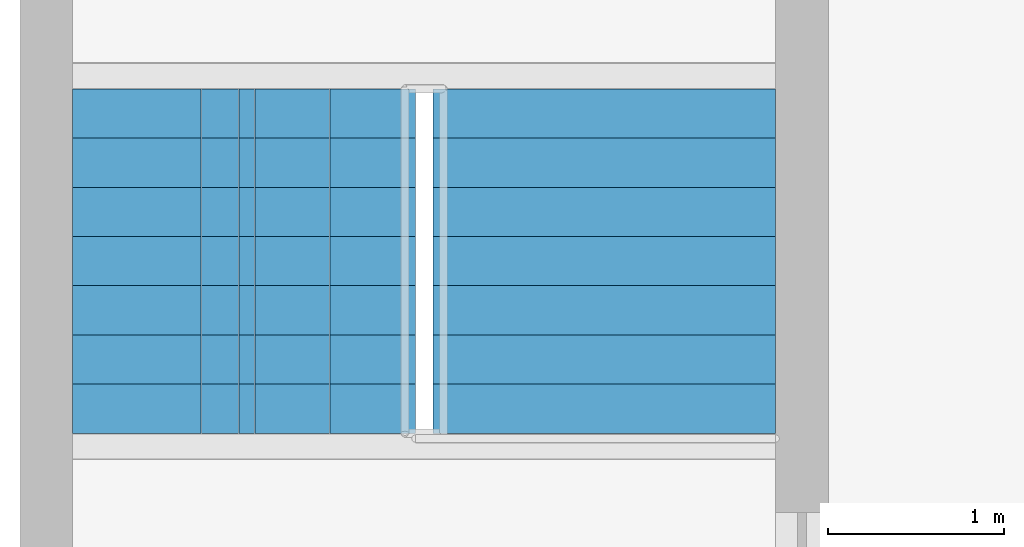
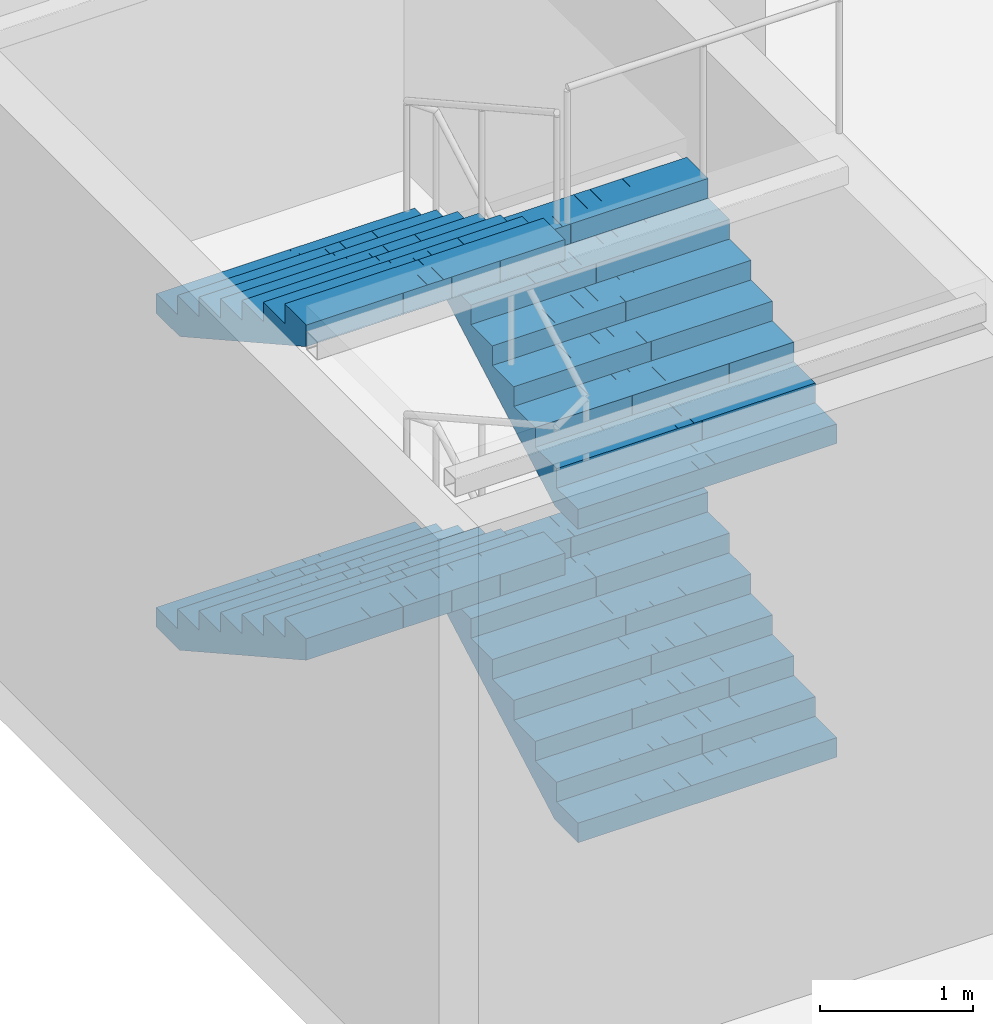
# One storey, part 10 of 20: 4 stair flights, 1 element without a shape of its own.
"""IFC4 building model written with IfcOpenShell, lengths in metres."""

from ifc_helpers import new_model, si_unit, direction, frame, origin, place, context, subcontext, project, spatial, polyline, outline, extrude, material, type_object, element, aggregate, save


model = new_model("IFC4")

# Units and contexts
model_context = context("Model", 3, precision=1e-05, world=origin(), true_north=direction((0.0, 1.0)))
body_context = subcontext(model_context, "Body", "Model", "MODEL_VIEW")
ifc_project = project(units=[si_unit("LENGTHUNIT", "METRE"), si_unit("AREAUNIT", "SQUARE_METRE"), si_unit("VOLUMEUNIT", "CUBIC_METRE"), si_unit("PLANEANGLEUNIT", "RADIAN"), si_unit("MASSUNIT", "GRAM", prefix="KILO")], contexts=[model_context])

# Site, building, storey
site_placement = place(None, origin())
site = spatial("IfcSite", under=ifc_project, at=site_placement, CompositionType="ELEMENT")
building_placement = place(site_placement, origin())
building = spatial("IfcBuilding", under=site, at=building_placement, Name="Mizan Broadcast Tower", CompositionType="ELEMENT")
storey_placement = place(building_placement, frame((0.0, 0.0, -5.0)))
storey = spatial("IfcBuildingStorey", under=building, at=storey_placement, Name="B1", CompositionType="ELEMENT", Elevation=-5.0)

# Stair, stair flights
ifc_material_1 = material(Name="Concrete C40/50", Category="concrete")
stair_type = type_object("IfcStairType", Name="EXIT STAIR", PredefinedType="HALF_TURN_STAIR", material=ifc_material_1)
stair_placement = place(storey_placement, origin())
stair = element("IfcStair", 1, at=stair_placement, inside=storey, type_object=stair_type, Name="Stair G B1", PredefinedType="HALF_TURN_STAIR")
ifc_material_2 = material(Name="Concrete C40/50", Category="concrete")
stair_flight_type = type_object("IfcStairFlightType", Name="EXIT STAIR FLIGHT", PredefinedType="STRAIGHT", material=ifc_material_2)
stair_flight_1_placement = place(storey_placement, frame((-44.875, -39.949951171875, 0.0), z_axis=(0.0, 0.0, 1.0), x_axis=(0.0, 1.0, 0.0)))
stair_flight_1 = element("IfcStairFlight", 2, at=stair_flight_1_placement, type_object=stair_flight_type, Name="G flight 1", NumberOfRisers=8, NumberOfTreads=7, PredefinedType="STRAIGHT", RiserHeight=0.15625, TreadLength=0.28, context=body_context, shape_type="SweptSolid", body=[
    extrude(outline(polyline([(0.0, 0.0), (0.0, 0.15625), (0.280029296875, 0.15625), (0.280029296875, 0.3125), (0.56005859375, 0.3125), (0.56005859375, 0.46875), (0.840087890625, 0.46875), (0.840087890625, 0.625), (1.1201171875, 0.625), (1.1201171875, 0.78125), (1.39990234375, 0.78125), (1.39990234375, 0.9375), (1.679931640625, 0.9375), (1.679931640625, 1.09375), (1.9599609375, 1.09375), (1.9599609375, 1.25), (1.9599609375, 0.922119140625), (0.3076171875, 0.0), (0.0, 0.0)])), frame((0.0, 0.97509765625, 0.0), z_axis=(0.0, -1.0, 0.0), x_axis=(1.0, 0.0, 0.0)), (0.0, 0.0, 1.0), 0.4873046875),
    extrude(outline(polyline([(0.0, 0.0), (0.0, 0.15625), (0.280029296875, 0.15625), (0.280029296875, 0.3125), (0.56005859375, 0.3125), (0.56005859375, 0.46875), (0.840087890625, 0.46875), (0.840087890625, 0.625), (1.1201171875, 0.625), (1.1201171875, 0.78125), (1.39990234375, 0.78125), (1.39990234375, 0.9375), (1.679931640625, 0.9375), (1.679931640625, 1.09375), (1.9599609375, 1.09375), (1.9599609375, 1.25), (1.9599609375, 0.922119140625), (0.3076171875, 0.0), (0.0, 0.0)])), frame((0.0, 0.4873046875, 0.0), z_axis=(0.0, -1.0, 0.0), x_axis=(1.0, 0.0, 0.0)), (0.0, 0.0, 1.0), 0.2431640625),
    extrude(outline(polyline([(0.0, 0.0), (0.0, 0.15625), (0.280029296875, 0.15625), (0.280029296875, 0.3125), (0.56005859375, 0.3125), (0.56005859375, 0.46875), (0.840087890625, 0.46875), (0.840087890625, 0.625), (1.1201171875, 0.625), (1.1201171875, 0.78125), (1.39990234375, 0.78125), (1.39990234375, 0.9375), (1.679931640625, 0.9375), (1.679931640625, 1.09375), (1.9599609375, 1.09375), (1.9599609375, 1.25), (1.9599609375, 0.922119140625), (0.3076171875, 0.0), (0.0, 0.0)])), frame((0.0, 0.24365234375, 0.0), z_axis=(0.0, -1.0, 0.0), x_axis=(1.0, 0.0, 0.0)), (0.0, 0.0, 1.0), 0.121337890625),
    extrude(outline(polyline([(0.0, 0.0), (0.0, 0.15625), (0.280029296875, 0.15625), (0.280029296875, 0.3125), (0.56005859375, 0.3125), (0.56005859375, 0.46875), (0.840087890625, 0.46875), (0.840087890625, 0.625), (1.1201171875, 0.625), (1.1201171875, 0.78125), (1.39990234375, 0.78125), (1.39990234375, 0.9375), (1.679931640625, 0.9375), (1.679931640625, 1.09375), (1.9599609375, 1.09375), (1.9599609375, 1.25), (1.9599609375, 0.922119140625), (0.3076171875, 0.0), (0.0, 0.0)])), frame((0.0, 0.121826171875, 0.0), z_axis=(0.0, -1.0, 0.0), x_axis=(1.0, 0.0, 0.0)), (0.0, 0.0, 1.0), 0.060546875),
    extrude(outline(polyline([(0.0, 0.0), (0.0, 0.15625), (0.280029296875, 0.15625), (0.280029296875, 0.3125), (0.56005859375, 0.3125), (0.56005859375, 0.46875), (0.840087890625, 0.46875), (0.840087890625, 0.625), (1.1201171875, 0.625), (1.1201171875, 0.78125), (1.39990234375, 0.78125), (1.39990234375, 0.9375), (1.679931640625, 0.9375), (1.679931640625, 1.09375), (1.9599609375, 1.09375), (1.9599609375, 1.25), (1.9599609375, 0.922119140625), (0.3076171875, 0.0), (0.0, 0.0)])), frame((0.0, 0.060791015625, 0.0), z_axis=(0.0, -1.0, 0.0), x_axis=(1.0, 0.0, 0.0)), (0.0, 0.0, 1.0), 0.030029296875),
    extrude(outline(polyline([(0.0, 0.0), (0.0, 0.15625), (0.280029296875, 0.15625), (0.280029296875, 0.3125), (0.56005859375, 0.3125), (0.56005859375, 0.46875), (0.840087890625, 0.46875), (0.840087890625, 0.625), (1.1201171875, 0.625), (1.1201171875, 0.78125), (1.39990234375, 0.78125), (1.39990234375, 0.9375), (1.679931640625, 0.9375), (1.679931640625, 1.09375), (1.9599609375, 1.09375), (1.9599609375, 1.25), (1.9599609375, 0.922119140625), (0.3076171875, 0.0), (0.0, 0.0)])), frame((0.0, 0.0302734375, 0.0), z_axis=(0.0, -1.0, 0.0), x_axis=(1.0, 0.0, 0.0)), (0.0, 0.0, 1.0), 0.060302734375),
    extrude(outline(polyline([(0.0, 0.0), (0.0, 0.15625), (0.280029296875, 0.15625), (0.280029296875, 0.3125), (0.56005859375, 0.3125), (0.56005859375, 0.46875), (0.840087890625, 0.46875), (0.840087890625, 0.625), (1.1201171875, 0.625), (1.1201171875, 0.78125), (1.39990234375, 0.78125), (1.39990234375, 0.9375), (1.679931640625, 0.9375), (1.679931640625, 1.09375), (1.9599609375, 1.09375), (1.9599609375, 1.25), (1.9599609375, 0.922119140625), (0.3076171875, 0.0), (0.0, 0.0)])), frame((0.0, -0.030517578125, 0.0), z_axis=(0.0, -1.0, 0.0), x_axis=(1.0, 0.0, 0.0)), (0.0, 0.0, 1.0), 0.030029296875),
    extrude(outline(polyline([(0.0, 0.0), (0.0, 0.15625), (0.280029296875, 0.15625), (0.280029296875, 0.3125), (0.56005859375, 0.3125), (0.56005859375, 0.46875), (0.840087890625, 0.46875), (0.840087890625, 0.625), (1.1201171875, 0.625), (1.1201171875, 0.78125), (1.39990234375, 0.78125), (1.39990234375, 0.9375), (1.679931640625, 0.9375), (1.679931640625, 1.09375), (1.9599609375, 1.09375), (1.9599609375, 1.25), (1.9599609375, 0.922119140625), (0.3076171875, 0.0), (0.0, 0.0)])), frame((0.0, -0.06103515625, 0.0), z_axis=(0.0, -1.0, 0.0), x_axis=(1.0, 0.0, 0.0)), (0.0, 0.0, 1.0), 0.060546875),
    extrude(outline(polyline([(0.0, 0.0), (0.0, 0.15625), (0.280029296875, 0.15625), (0.280029296875, 0.3125), (0.56005859375, 0.3125), (0.56005859375, 0.46875), (0.840087890625, 0.46875), (0.840087890625, 0.625), (1.1201171875, 0.625), (1.1201171875, 0.78125), (1.39990234375, 0.78125), (1.39990234375, 0.9375), (1.679931640625, 0.9375), (1.679931640625, 1.09375), (1.9599609375, 1.09375), (1.9599609375, 1.25), (1.9599609375, 0.922119140625), (0.3076171875, 0.0), (0.0, 0.0)])), frame((0.0, -0.1220703125, 0.0), z_axis=(0.0, -1.0, 0.0), x_axis=(1.0, 0.0, 0.0)), (0.0, 0.0, 1.0), 0.121337890625),
    extrude(outline(polyline([(0.0, 0.0), (0.0, 0.15625), (0.280029296875, 0.15625), (0.280029296875, 0.3125), (0.56005859375, 0.3125), (0.56005859375, 0.46875), (0.840087890625, 0.46875), (0.840087890625, 0.625), (1.1201171875, 0.625), (1.1201171875, 0.78125), (1.39990234375, 0.78125), (1.39990234375, 0.9375), (1.679931640625, 0.9375), (1.679931640625, 1.09375), (1.9599609375, 1.09375), (1.9599609375, 1.25), (1.9599609375, 0.922119140625), (0.3076171875, 0.0), (0.0, 0.0)])), frame((0.0, -0.243896484375, 0.0), z_axis=(0.0, -1.0, 0.0), x_axis=(1.0, 0.0, 0.0)), (0.0, 0.0, 1.0), 0.2431640625),
    extrude(outline(polyline([(0.0, 0.0), (0.0, 0.15625), (0.280029296875, 0.15625), (0.280029296875, 0.3125), (0.56005859375, 0.3125), (0.56005859375, 0.46875), (0.840087890625, 0.46875), (0.840087890625, 0.625), (1.1201171875, 0.625), (1.1201171875, 0.78125), (1.39990234375, 0.78125), (1.39990234375, 0.9375), (1.679931640625, 0.9375), (1.679931640625, 1.09375), (1.9599609375, 1.09375), (1.9599609375, 1.25), (1.9599609375, 0.922119140625), (0.3076171875, 0.0), (0.0, 0.0)])), frame((0.0, -0.487548828125, 0.0), z_axis=(0.0, -1.0, 0.0), x_axis=(1.0, 0.0, 0.0)), (0.0, 0.0, 1.0), 0.4873046875),
])
stair_flight_2_placement = place(storey_placement, frame((-46.925048828125, -37.989990234375, 1.25), z_axis=(0.0, 0.0, 1.0), x_axis=(0.0, -1.0, 0.0)))
stair_flight_2 = element("IfcStairFlight", 3, at=stair_flight_2_placement, type_object=stair_flight_type, Name="G flight 2", NumberOfRisers=8, NumberOfTreads=7, PredefinedType="STRAIGHT", RiserHeight=0.15625, TreadLength=0.28, context=body_context, shape_type="SweptSolid", body=[
    extrude(outline(polyline([(0.0, 0.0), (0.0, 0.15625), (0.280029296875, 0.15625), (0.280029296875, 0.3125), (0.56005859375, 0.3125), (0.56005859375, 0.46875), (0.840087890625, 0.46875), (0.840087890625, 0.625), (1.1201171875, 0.625), (1.1201171875, 0.78125), (1.39990234375, 0.78125), (1.39990234375, 0.9375), (1.679931640625, 0.9375), (1.679931640625, 1.09375), (1.9599609375, 1.09375), (1.9599609375, 1.25), (1.9599609375, 0.922119140625), (0.3076171875, 0.0), (0.0, 0.0)])), frame((0.0, 0.97509765625, 0.0), z_axis=(0.0, -1.0, 0.0), x_axis=(1.0, 0.0, 0.0)), (0.0, 0.0, 1.0), 0.4873046875),
    extrude(outline(polyline([(0.0, 0.0), (0.0, 0.15625), (0.280029296875, 0.15625), (0.280029296875, 0.3125), (0.56005859375, 0.3125), (0.56005859375, 0.46875), (0.840087890625, 0.46875), (0.840087890625, 0.625), (1.1201171875, 0.625), (1.1201171875, 0.78125), (1.39990234375, 0.78125), (1.39990234375, 0.9375), (1.679931640625, 0.9375), (1.679931640625, 1.09375), (1.9599609375, 1.09375), (1.9599609375, 1.25), (1.9599609375, 0.922119140625), (0.3076171875, 0.0), (0.0, 0.0)])), frame((0.0, 0.4873046875, 0.0), z_axis=(0.0, -1.0, 0.0), x_axis=(1.0, 0.0, 0.0)), (0.0, 0.0, 1.0), 0.2431640625),
    extrude(outline(polyline([(0.0, 0.0), (0.0, 0.15625), (0.280029296875, 0.15625), (0.280029296875, 0.3125), (0.56005859375, 0.3125), (0.56005859375, 0.46875), (0.840087890625, 0.46875), (0.840087890625, 0.625), (1.1201171875, 0.625), (1.1201171875, 0.78125), (1.39990234375, 0.78125), (1.39990234375, 0.9375), (1.679931640625, 0.9375), (1.679931640625, 1.09375), (1.9599609375, 1.09375), (1.9599609375, 1.25), (1.9599609375, 0.922119140625), (0.3076171875, 0.0), (0.0, 0.0)])), frame((0.0, 0.24365234375, 0.0), z_axis=(0.0, -1.0, 0.0), x_axis=(1.0, 0.0, 0.0)), (0.0, 0.0, 1.0), 0.121337890625),
    extrude(outline(polyline([(0.0, 0.0), (0.0, 0.15625), (0.280029296875, 0.15625), (0.280029296875, 0.3125), (0.56005859375, 0.3125), (0.56005859375, 0.46875), (0.840087890625, 0.46875), (0.840087890625, 0.625), (1.1201171875, 0.625), (1.1201171875, 0.78125), (1.39990234375, 0.78125), (1.39990234375, 0.9375), (1.679931640625, 0.9375), (1.679931640625, 1.09375), (1.9599609375, 1.09375), (1.9599609375, 1.25), (1.9599609375, 0.922119140625), (0.3076171875, 0.0), (0.0, 0.0)])), frame((0.0, 0.121826171875, 0.0), z_axis=(0.0, -1.0, 0.0), x_axis=(1.0, 0.0, 0.0)), (0.0, 0.0, 1.0), 0.060546875),
    extrude(outline(polyline([(0.0, 0.0), (0.0, 0.15625), (0.280029296875, 0.15625), (0.280029296875, 0.3125), (0.56005859375, 0.3125), (0.56005859375, 0.46875), (0.840087890625, 0.46875), (0.840087890625, 0.625), (1.1201171875, 0.625), (1.1201171875, 0.78125), (1.39990234375, 0.78125), (1.39990234375, 0.9375), (1.679931640625, 0.9375), (1.679931640625, 1.09375), (1.9599609375, 1.09375), (1.9599609375, 1.25), (1.9599609375, 0.922119140625), (0.3076171875, 0.0), (0.0, 0.0)])), frame((0.0, 0.060791015625, 0.0), z_axis=(0.0, -1.0, 0.0), x_axis=(1.0, 0.0, 0.0)), (0.0, 0.0, 1.0), 0.030029296875),
    extrude(outline(polyline([(0.0, 0.0), (0.0, 0.15625), (0.280029296875, 0.15625), (0.280029296875, 0.3125), (0.56005859375, 0.3125), (0.56005859375, 0.46875), (0.840087890625, 0.46875), (0.840087890625, 0.625), (1.1201171875, 0.625), (1.1201171875, 0.78125), (1.39990234375, 0.78125), (1.39990234375, 0.9375), (1.679931640625, 0.9375), (1.679931640625, 1.09375), (1.9599609375, 1.09375), (1.9599609375, 1.25), (1.9599609375, 0.922119140625), (0.3076171875, 0.0), (0.0, 0.0)])), frame((0.0, 0.0302734375, 0.0), z_axis=(0.0, -1.0, 0.0), x_axis=(1.0, 0.0, 0.0)), (0.0, 0.0, 1.0), 0.060302734375),
    extrude(outline(polyline([(0.0, 0.0), (0.0, 0.15625), (0.280029296875, 0.15625), (0.280029296875, 0.3125), (0.56005859375, 0.3125), (0.56005859375, 0.46875), (0.840087890625, 0.46875), (0.840087890625, 0.625), (1.1201171875, 0.625), (1.1201171875, 0.78125), (1.39990234375, 0.78125), (1.39990234375, 0.9375), (1.679931640625, 0.9375), (1.679931640625, 1.09375), (1.9599609375, 1.09375), (1.9599609375, 1.25), (1.9599609375, 0.922119140625), (0.3076171875, 0.0), (0.0, 0.0)])), frame((0.0, -0.030517578125, 0.0), z_axis=(0.0, -1.0, 0.0), x_axis=(1.0, 0.0, 0.0)), (0.0, 0.0, 1.0), 0.030029296875),
    extrude(outline(polyline([(0.0, 0.0), (0.0, 0.15625), (0.280029296875, 0.15625), (0.280029296875, 0.3125), (0.56005859375, 0.3125), (0.56005859375, 0.46875), (0.840087890625, 0.46875), (0.840087890625, 0.625), (1.1201171875, 0.625), (1.1201171875, 0.78125), (1.39990234375, 0.78125), (1.39990234375, 0.9375), (1.679931640625, 0.9375), (1.679931640625, 1.09375), (1.9599609375, 1.09375), (1.9599609375, 1.25), (1.9599609375, 0.922119140625), (0.3076171875, 0.0), (0.0, 0.0)])), frame((0.0, -0.06103515625, 0.0), z_axis=(0.0, -1.0, 0.0), x_axis=(1.0, 0.0, 0.0)), (0.0, 0.0, 1.0), 0.060546875),
    extrude(outline(polyline([(0.0, 0.0), (0.0, 0.15625), (0.280029296875, 0.15625), (0.280029296875, 0.3125), (0.56005859375, 0.3125), (0.56005859375, 0.46875), (0.840087890625, 0.46875), (0.840087890625, 0.625), (1.1201171875, 0.625), (1.1201171875, 0.78125), (1.39990234375, 0.78125), (1.39990234375, 0.9375), (1.679931640625, 0.9375), (1.679931640625, 1.09375), (1.9599609375, 1.09375), (1.9599609375, 1.25), (1.9599609375, 0.922119140625), (0.3076171875, 0.0), (0.0, 0.0)])), frame((0.0, -0.1220703125, 0.0), z_axis=(0.0, -1.0, 0.0), x_axis=(1.0, 0.0, 0.0)), (0.0, 0.0, 1.0), 0.121337890625),
    extrude(outline(polyline([(0.0, 0.0), (0.0, 0.15625), (0.280029296875, 0.15625), (0.280029296875, 0.3125), (0.56005859375, 0.3125), (0.56005859375, 0.46875), (0.840087890625, 0.46875), (0.840087890625, 0.625), (1.1201171875, 0.625), (1.1201171875, 0.78125), (1.39990234375, 0.78125), (1.39990234375, 0.9375), (1.679931640625, 0.9375), (1.679931640625, 1.09375), (1.9599609375, 1.09375), (1.9599609375, 1.25), (1.9599609375, 0.922119140625), (0.3076171875, 0.0), (0.0, 0.0)])), frame((0.0, -0.243896484375, 0.0), z_axis=(0.0, -1.0, 0.0), x_axis=(1.0, 0.0, 0.0)), (0.0, 0.0, 1.0), 0.2431640625),
    extrude(outline(polyline([(0.0, 0.0), (0.0, 0.15625), (0.280029296875, 0.15625), (0.280029296875, 0.3125), (0.56005859375, 0.3125), (0.56005859375, 0.46875), (0.840087890625, 0.46875), (0.840087890625, 0.625), (1.1201171875, 0.625), (1.1201171875, 0.78125), (1.39990234375, 0.78125), (1.39990234375, 0.9375), (1.679931640625, 0.9375), (1.679931640625, 1.09375), (1.9599609375, 1.09375), (1.9599609375, 1.25), (1.9599609375, 0.922119140625), (0.3076171875, 0.0), (0.0, 0.0)])), frame((0.0, -0.487548828125, 0.0), z_axis=(0.0, -1.0, 0.0), x_axis=(1.0, 0.0, 0.0)), (0.0, 0.0, 1.0), 0.4873046875),
])
stair_flight_3_placement = place(storey_placement, frame((-44.875, -39.949951171875, 2.5), z_axis=(0.0, 0.0, 1.0), x_axis=(0.0, 1.0, 0.0)))
stair_flight_3 = element("IfcStairFlight", 4, at=stair_flight_3_placement, type_object=stair_flight_type, Name="G flight 3", NumberOfRisers=8, NumberOfTreads=7, PredefinedType="STRAIGHT", RiserHeight=0.15625, TreadLength=0.28, context=body_context, shape_type="SweptSolid", body=[
    extrude(outline(polyline([(0.0, 0.0), (0.0, 0.15625), (0.280029296875, 0.15625), (0.280029296875, 0.3125), (0.56005859375, 0.3125), (0.56005859375, 0.46875), (0.840087890625, 0.46875), (0.840087890625, 0.625), (1.1201171875, 0.625), (1.1201171875, 0.78125), (1.39990234375, 0.78125), (1.39990234375, 0.9375), (1.679931640625, 0.9375), (1.679931640625, 1.09375), (1.9599609375, 1.09375), (1.9599609375, 1.25), (1.9599609375, 0.922119140625), (0.3076171875, 0.0), (0.0, 0.0)])), frame((0.0, 0.97509765625, 0.0), z_axis=(0.0, -1.0, 0.0), x_axis=(1.0, 0.0, 0.0)), (0.0, 0.0, 1.0), 0.4873046875),
    extrude(outline(polyline([(0.0, 0.0), (0.0, 0.15625), (0.280029296875, 0.15625), (0.280029296875, 0.3125), (0.56005859375, 0.3125), (0.56005859375, 0.46875), (0.840087890625, 0.46875), (0.840087890625, 0.625), (1.1201171875, 0.625), (1.1201171875, 0.78125), (1.39990234375, 0.78125), (1.39990234375, 0.9375), (1.679931640625, 0.9375), (1.679931640625, 1.09375), (1.9599609375, 1.09375), (1.9599609375, 1.25), (1.9599609375, 0.922119140625), (0.3076171875, 0.0), (0.0, 0.0)])), frame((0.0, 0.4873046875, 0.0), z_axis=(0.0, -1.0, 0.0), x_axis=(1.0, 0.0, 0.0)), (0.0, 0.0, 1.0), 0.2431640625),
    extrude(outline(polyline([(0.0, 0.0), (0.0, 0.15625), (0.280029296875, 0.15625), (0.280029296875, 0.3125), (0.56005859375, 0.3125), (0.56005859375, 0.46875), (0.840087890625, 0.46875), (0.840087890625, 0.625), (1.1201171875, 0.625), (1.1201171875, 0.78125), (1.39990234375, 0.78125), (1.39990234375, 0.9375), (1.679931640625, 0.9375), (1.679931640625, 1.09375), (1.9599609375, 1.09375), (1.9599609375, 1.25), (1.9599609375, 0.922119140625), (0.3076171875, 0.0), (0.0, 0.0)])), frame((0.0, 0.24365234375, 0.0), z_axis=(0.0, -1.0, 0.0), x_axis=(1.0, 0.0, 0.0)), (0.0, 0.0, 1.0), 0.121337890625),
    extrude(outline(polyline([(0.0, 0.0), (0.0, 0.15625), (0.280029296875, 0.15625), (0.280029296875, 0.3125), (0.56005859375, 0.3125), (0.56005859375, 0.46875), (0.840087890625, 0.46875), (0.840087890625, 0.625), (1.1201171875, 0.625), (1.1201171875, 0.78125), (1.39990234375, 0.78125), (1.39990234375, 0.9375), (1.679931640625, 0.9375), (1.679931640625, 1.09375), (1.9599609375, 1.09375), (1.9599609375, 1.25), (1.9599609375, 0.922119140625), (0.3076171875, 0.0), (0.0, 0.0)])), frame((0.0, 0.121826171875, 0.0), z_axis=(0.0, -1.0, 0.0), x_axis=(1.0, 0.0, 0.0)), (0.0, 0.0, 1.0), 0.060546875),
    extrude(outline(polyline([(0.0, 0.0), (0.0, 0.15625), (0.280029296875, 0.15625), (0.280029296875, 0.3125), (0.56005859375, 0.3125), (0.56005859375, 0.46875), (0.840087890625, 0.46875), (0.840087890625, 0.625), (1.1201171875, 0.625), (1.1201171875, 0.78125), (1.39990234375, 0.78125), (1.39990234375, 0.9375), (1.679931640625, 0.9375), (1.679931640625, 1.09375), (1.9599609375, 1.09375), (1.9599609375, 1.25), (1.9599609375, 0.922119140625), (0.3076171875, 0.0), (0.0, 0.0)])), frame((0.0, 0.060791015625, 0.0), z_axis=(0.0, -1.0, 0.0), x_axis=(1.0, 0.0, 0.0)), (0.0, 0.0, 1.0), 0.030029296875),
    extrude(outline(polyline([(0.0, 0.0), (0.0, 0.15625), (0.280029296875, 0.15625), (0.280029296875, 0.3125), (0.56005859375, 0.3125), (0.56005859375, 0.46875), (0.840087890625, 0.46875), (0.840087890625, 0.625), (1.1201171875, 0.625), (1.1201171875, 0.78125), (1.39990234375, 0.78125), (1.39990234375, 0.9375), (1.679931640625, 0.9375), (1.679931640625, 1.09375), (1.9599609375, 1.09375), (1.9599609375, 1.25), (1.9599609375, 0.922119140625), (0.3076171875, 0.0), (0.0, 0.0)])), frame((0.0, 0.0302734375, 0.0), z_axis=(0.0, -1.0, 0.0), x_axis=(1.0, 0.0, 0.0)), (0.0, 0.0, 1.0), 0.060302734375),
    extrude(outline(polyline([(0.0, 0.0), (0.0, 0.15625), (0.280029296875, 0.15625), (0.280029296875, 0.3125), (0.56005859375, 0.3125), (0.56005859375, 0.46875), (0.840087890625, 0.46875), (0.840087890625, 0.625), (1.1201171875, 0.625), (1.1201171875, 0.78125), (1.39990234375, 0.78125), (1.39990234375, 0.9375), (1.679931640625, 0.9375), (1.679931640625, 1.09375), (1.9599609375, 1.09375), (1.9599609375, 1.25), (1.9599609375, 0.922119140625), (0.3076171875, 0.0), (0.0, 0.0)])), frame((0.0, -0.030517578125, 0.0), z_axis=(0.0, -1.0, 0.0), x_axis=(1.0, 0.0, 0.0)), (0.0, 0.0, 1.0), 0.030029296875),
    extrude(outline(polyline([(0.0, 0.0), (0.0, 0.15625), (0.280029296875, 0.15625), (0.280029296875, 0.3125), (0.56005859375, 0.3125), (0.56005859375, 0.46875), (0.840087890625, 0.46875), (0.840087890625, 0.625), (1.1201171875, 0.625), (1.1201171875, 0.78125), (1.39990234375, 0.78125), (1.39990234375, 0.9375), (1.679931640625, 0.9375), (1.679931640625, 1.09375), (1.9599609375, 1.09375), (1.9599609375, 1.25), (1.9599609375, 0.922119140625), (0.3076171875, 0.0), (0.0, 0.0)])), frame((0.0, -0.06103515625, 0.0), z_axis=(0.0, -1.0, 0.0), x_axis=(1.0, 0.0, 0.0)), (0.0, 0.0, 1.0), 0.060546875),
    extrude(outline(polyline([(0.0, 0.0), (0.0, 0.15625), (0.280029296875, 0.15625), (0.280029296875, 0.3125), (0.56005859375, 0.3125), (0.56005859375, 0.46875), (0.840087890625, 0.46875), (0.840087890625, 0.625), (1.1201171875, 0.625), (1.1201171875, 0.78125), (1.39990234375, 0.78125), (1.39990234375, 0.9375), (1.679931640625, 0.9375), (1.679931640625, 1.09375), (1.9599609375, 1.09375), (1.9599609375, 1.25), (1.9599609375, 0.922119140625), (0.3076171875, 0.0), (0.0, 0.0)])), frame((0.0, -0.1220703125, 0.0), z_axis=(0.0, -1.0, 0.0), x_axis=(1.0, 0.0, 0.0)), (0.0, 0.0, 1.0), 0.121337890625),
    extrude(outline(polyline([(0.0, 0.0), (0.0, 0.15625), (0.280029296875, 0.15625), (0.280029296875, 0.3125), (0.56005859375, 0.3125), (0.56005859375, 0.46875), (0.840087890625, 0.46875), (0.840087890625, 0.625), (1.1201171875, 0.625), (1.1201171875, 0.78125), (1.39990234375, 0.78125), (1.39990234375, 0.9375), (1.679931640625, 0.9375), (1.679931640625, 1.09375), (1.9599609375, 1.09375), (1.9599609375, 1.25), (1.9599609375, 0.922119140625), (0.3076171875, 0.0), (0.0, 0.0)])), frame((0.0, -0.243896484375, 0.0), z_axis=(0.0, -1.0, 0.0), x_axis=(1.0, 0.0, 0.0)), (0.0, 0.0, 1.0), 0.2431640625),
    extrude(outline(polyline([(0.0, 0.0), (0.0, 0.15625), (0.280029296875, 0.15625), (0.280029296875, 0.3125), (0.56005859375, 0.3125), (0.56005859375, 0.46875), (0.840087890625, 0.46875), (0.840087890625, 0.625), (1.1201171875, 0.625), (1.1201171875, 0.78125), (1.39990234375, 0.78125), (1.39990234375, 0.9375), (1.679931640625, 0.9375), (1.679931640625, 1.09375), (1.9599609375, 1.09375), (1.9599609375, 1.25), (1.9599609375, 0.922119140625), (0.3076171875, 0.0), (0.0, 0.0)])), frame((0.0, -0.487548828125, 0.0), z_axis=(0.0, -1.0, 0.0), x_axis=(1.0, 0.0, 0.0)), (0.0, 0.0, 1.0), 0.4873046875),
])
stair_flight_4_placement = place(storey_placement, frame((-46.925048828125, -37.989990234375, 3.75), z_axis=(0.0, 0.0, 1.0), x_axis=(0.0, -1.0, 0.0)))
stair_flight_4 = element("IfcStairFlight", 5, at=stair_flight_4_placement, type_object=stair_flight_type, Name="G flight 4", NumberOfRisers=8, NumberOfTreads=7, PredefinedType="STRAIGHT", RiserHeight=0.15625, TreadLength=0.28, context=body_context, shape_type="SweptSolid", body=[
    extrude(outline(polyline([(0.0, 0.0), (0.0, 0.15625), (0.280029296875, 0.15625), (0.280029296875, 0.3125), (0.56005859375, 0.3125), (0.56005859375, 0.46875), (0.840087890625, 0.46875), (0.840087890625, 0.625), (1.1201171875, 0.625), (1.1201171875, 0.78125), (1.39990234375, 0.78125), (1.39990234375, 0.9375), (1.679931640625, 0.9375), (1.679931640625, 1.09375), (1.9599609375, 1.09375), (1.9599609375, 1.25), (1.9599609375, 0.922119140625), (0.3076171875, 0.0), (0.0, 0.0)])), frame((0.0, 0.97509765625, 0.0), z_axis=(0.0, -1.0, 0.0), x_axis=(1.0, 0.0, 0.0)), (0.0, 0.0, 1.0), 0.4873046875),
    extrude(outline(polyline([(0.0, 0.0), (0.0, 0.15625), (0.280029296875, 0.15625), (0.280029296875, 0.3125), (0.56005859375, 0.3125), (0.56005859375, 0.46875), (0.840087890625, 0.46875), (0.840087890625, 0.625), (1.1201171875, 0.625), (1.1201171875, 0.78125), (1.39990234375, 0.78125), (1.39990234375, 0.9375), (1.679931640625, 0.9375), (1.679931640625, 1.09375), (1.9599609375, 1.09375), (1.9599609375, 1.25), (1.9599609375, 0.922119140625), (0.3076171875, 0.0), (0.0, 0.0)])), frame((0.0, 0.4873046875, 0.0), z_axis=(0.0, -1.0, 0.0), x_axis=(1.0, 0.0, 0.0)), (0.0, 0.0, 1.0), 0.2431640625),
    extrude(outline(polyline([(0.0, 0.0), (0.0, 0.15625), (0.280029296875, 0.15625), (0.280029296875, 0.3125), (0.56005859375, 0.3125), (0.56005859375, 0.46875), (0.840087890625, 0.46875), (0.840087890625, 0.625), (1.1201171875, 0.625), (1.1201171875, 0.78125), (1.39990234375, 0.78125), (1.39990234375, 0.9375), (1.679931640625, 0.9375), (1.679931640625, 1.09375), (1.9599609375, 1.09375), (1.9599609375, 1.25), (1.9599609375, 0.922119140625), (0.3076171875, 0.0), (0.0, 0.0)])), frame((0.0, 0.24365234375, 0.0), z_axis=(0.0, -1.0, 0.0), x_axis=(1.0, 0.0, 0.0)), (0.0, 0.0, 1.0), 0.121337890625),
    extrude(outline(polyline([(0.0, 0.0), (0.0, 0.15625), (0.280029296875, 0.15625), (0.280029296875, 0.3125), (0.56005859375, 0.3125), (0.56005859375, 0.46875), (0.840087890625, 0.46875), (0.840087890625, 0.625), (1.1201171875, 0.625), (1.1201171875, 0.78125), (1.39990234375, 0.78125), (1.39990234375, 0.9375), (1.679931640625, 0.9375), (1.679931640625, 1.09375), (1.9599609375, 1.09375), (1.9599609375, 1.25), (1.9599609375, 0.922119140625), (0.3076171875, 0.0), (0.0, 0.0)])), frame((0.0, 0.121826171875, 0.0), z_axis=(0.0, -1.0, 0.0), x_axis=(1.0, 0.0, 0.0)), (0.0, 0.0, 1.0), 0.060546875),
    extrude(outline(polyline([(0.0, 0.0), (0.0, 0.15625), (0.280029296875, 0.15625), (0.280029296875, 0.3125), (0.56005859375, 0.3125), (0.56005859375, 0.46875), (0.840087890625, 0.46875), (0.840087890625, 0.625), (1.1201171875, 0.625), (1.1201171875, 0.78125), (1.39990234375, 0.78125), (1.39990234375, 0.9375), (1.679931640625, 0.9375), (1.679931640625, 1.09375), (1.9599609375, 1.09375), (1.9599609375, 1.25), (1.9599609375, 0.922119140625), (0.3076171875, 0.0), (0.0, 0.0)])), frame((0.0, 0.060791015625, 0.0), z_axis=(0.0, -1.0, 0.0), x_axis=(1.0, 0.0, 0.0)), (0.0, 0.0, 1.0), 0.030029296875),
    extrude(outline(polyline([(0.0, 0.0), (0.0, 0.15625), (0.280029296875, 0.15625), (0.280029296875, 0.3125), (0.56005859375, 0.3125), (0.56005859375, 0.46875), (0.840087890625, 0.46875), (0.840087890625, 0.625), (1.1201171875, 0.625), (1.1201171875, 0.78125), (1.39990234375, 0.78125), (1.39990234375, 0.9375), (1.679931640625, 0.9375), (1.679931640625, 1.09375), (1.9599609375, 1.09375), (1.9599609375, 1.25), (1.9599609375, 0.922119140625), (0.3076171875, 0.0), (0.0, 0.0)])), frame((0.0, 0.0302734375, 0.0), z_axis=(0.0, -1.0, 0.0), x_axis=(1.0, 0.0, 0.0)), (0.0, 0.0, 1.0), 0.060302734375),
    extrude(outline(polyline([(0.0, 0.0), (0.0, 0.15625), (0.280029296875, 0.15625), (0.280029296875, 0.3125), (0.56005859375, 0.3125), (0.56005859375, 0.46875), (0.840087890625, 0.46875), (0.840087890625, 0.625), (1.1201171875, 0.625), (1.1201171875, 0.78125), (1.39990234375, 0.78125), (1.39990234375, 0.9375), (1.679931640625, 0.9375), (1.679931640625, 1.09375), (1.9599609375, 1.09375), (1.9599609375, 1.25), (1.9599609375, 0.922119140625), (0.3076171875, 0.0), (0.0, 0.0)])), frame((0.0, -0.030517578125, 0.0), z_axis=(0.0, -1.0, 0.0), x_axis=(1.0, 0.0, 0.0)), (0.0, 0.0, 1.0), 0.030029296875),
    extrude(outline(polyline([(0.0, 0.0), (0.0, 0.15625), (0.280029296875, 0.15625), (0.280029296875, 0.3125), (0.56005859375, 0.3125), (0.56005859375, 0.46875), (0.840087890625, 0.46875), (0.840087890625, 0.625), (1.1201171875, 0.625), (1.1201171875, 0.78125), (1.39990234375, 0.78125), (1.39990234375, 0.9375), (1.679931640625, 0.9375), (1.679931640625, 1.09375), (1.9599609375, 1.09375), (1.9599609375, 1.25), (1.9599609375, 0.922119140625), (0.3076171875, 0.0), (0.0, 0.0)])), frame((0.0, -0.06103515625, 0.0), z_axis=(0.0, -1.0, 0.0), x_axis=(1.0, 0.0, 0.0)), (0.0, 0.0, 1.0), 0.060546875),
    extrude(outline(polyline([(0.0, 0.0), (0.0, 0.15625), (0.280029296875, 0.15625), (0.280029296875, 0.3125), (0.56005859375, 0.3125), (0.56005859375, 0.46875), (0.840087890625, 0.46875), (0.840087890625, 0.625), (1.1201171875, 0.625), (1.1201171875, 0.78125), (1.39990234375, 0.78125), (1.39990234375, 0.9375), (1.679931640625, 0.9375), (1.679931640625, 1.09375), (1.9599609375, 1.09375), (1.9599609375, 1.25), (1.9599609375, 0.922119140625), (0.3076171875, 0.0), (0.0, 0.0)])), frame((0.0, -0.1220703125, 0.0), z_axis=(0.0, -1.0, 0.0), x_axis=(1.0, 0.0, 0.0)), (0.0, 0.0, 1.0), 0.121337890625),
    extrude(outline(polyline([(0.0, 0.0), (0.0, 0.15625), (0.280029296875, 0.15625), (0.280029296875, 0.3125), (0.56005859375, 0.3125), (0.56005859375, 0.46875), (0.840087890625, 0.46875), (0.840087890625, 0.625), (1.1201171875, 0.625), (1.1201171875, 0.78125), (1.39990234375, 0.78125), (1.39990234375, 0.9375), (1.679931640625, 0.9375), (1.679931640625, 1.09375), (1.9599609375, 1.09375), (1.9599609375, 1.25), (1.9599609375, 0.922119140625), (0.3076171875, 0.0), (0.0, 0.0)])), frame((0.0, -0.243896484375, 0.0), z_axis=(0.0, -1.0, 0.0), x_axis=(1.0, 0.0, 0.0)), (0.0, 0.0, 1.0), 0.2431640625),
    extrude(outline(polyline([(0.0, 0.0), (0.0, 0.15625), (0.280029296875, 0.15625), (0.280029296875, 0.3125), (0.56005859375, 0.3125), (0.56005859375, 0.46875), (0.840087890625, 0.46875), (0.840087890625, 0.625), (1.1201171875, 0.625), (1.1201171875, 0.78125), (1.39990234375, 0.78125), (1.39990234375, 0.9375), (1.679931640625, 0.9375), (1.679931640625, 1.09375), (1.9599609375, 1.09375), (1.9599609375, 1.25), (1.9599609375, 0.922119140625), (0.3076171875, 0.0), (0.0, 0.0)])), frame((0.0, -0.487548828125, 0.0), z_axis=(0.0, -1.0, 0.0), x_axis=(1.0, 0.0, 0.0)), (0.0, 0.0, 1.0), 0.4873046875),
])
aggregate(stair, [stair_flight_1, stair_flight_2, stair_flight_3, stair_flight_4])

save(model, "model.ifc")
